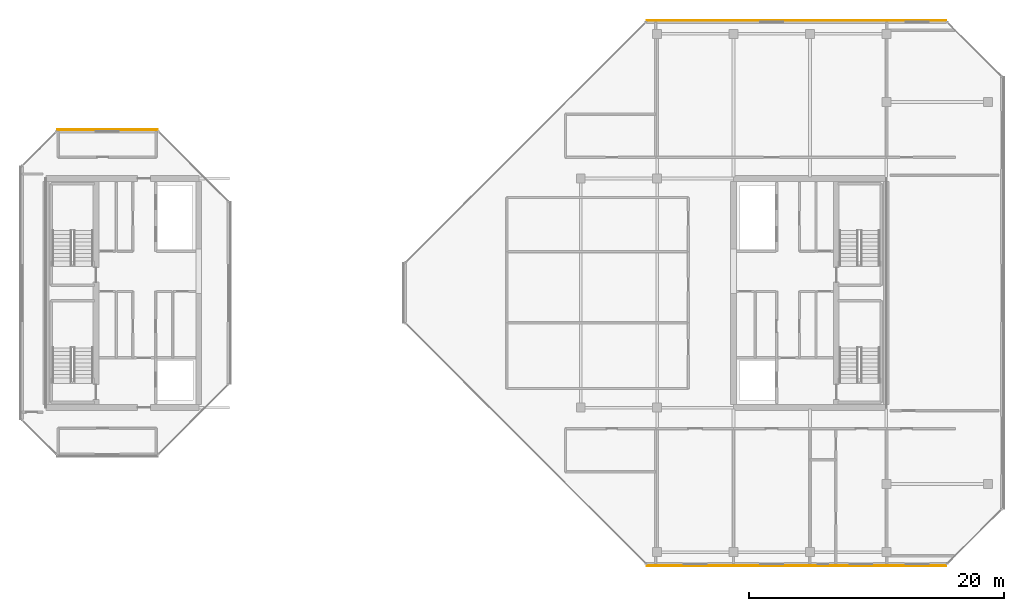
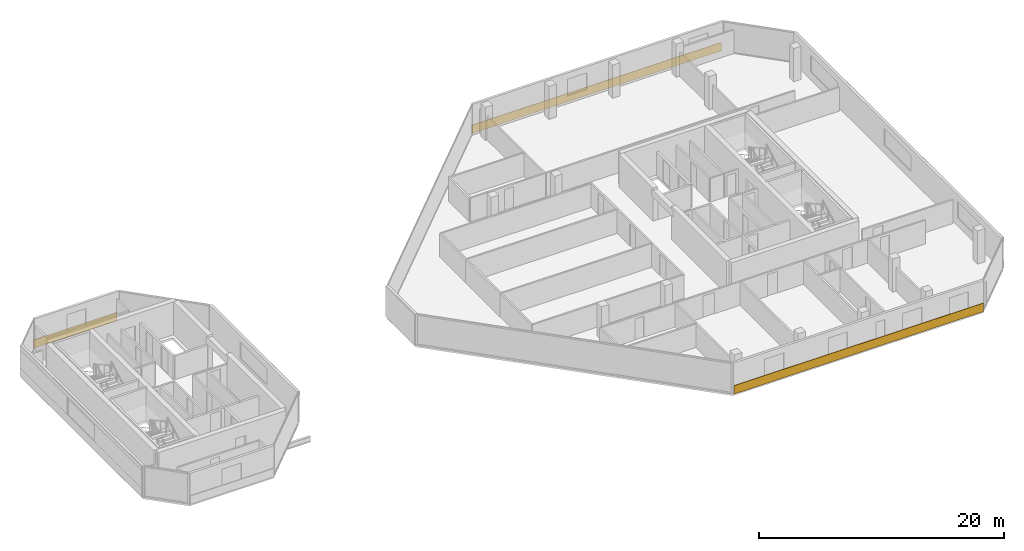
# One storey, part 28 of 29: 3 coverings.
"""IFC4 building model written with IfcOpenShell, lengths in metres."""

from ifc_helpers import new_model, si_unit, direction, frame, origin, origin_2d, place, context, subcontext, project, spatial, rectangle, extrude, material, layer, layer_set, type_object, element, save


model = new_model("IFC4")

# Units and contexts
model_context = context("Model", 3, precision=1e-05, world=origin(), true_north=direction((0.0, 1.0)))
body_context = subcontext(model_context, "Body", "Model", "MODEL_VIEW")
ifc_project = project(units=[si_unit("LENGTHUNIT", "METRE"), si_unit("AREAUNIT", "SQUARE_METRE"), si_unit("VOLUMEUNIT", "CUBIC_METRE"), si_unit("PLANEANGLEUNIT", "RADIAN"), si_unit("MASSUNIT", "GRAM", prefix="KILO")], contexts=[model_context])

# Site, building, storey
site_placement = place(None, origin())
site = spatial("IfcSite", under=ifc_project, at=site_placement, CompositionType="ELEMENT")
building_placement = place(site_placement, origin())
building = spatial("IfcBuilding", under=site, at=building_placement, Name="Tanjung Sevakor Pilgrim Tower", CompositionType="ELEMENT")
storey_placement = place(building_placement, frame((0.0, 0.0, 235.949951171875)))
storey = spatial("IfcBuildingStorey", under=building, at=storey_placement, Name="L66", CompositionType="ELEMENT", Elevation=235.949951171875)

# Coverings
ifc_material = material(Name="Reconstructed Limestone Cladding", Category="masonry")
ifc_layer = layer(ifc_material, 0.044921875)
ifc_layer_set = layer_set([ifc_layer], Name="COV-CLAD-LIMESTONE")
covering_type = type_object("IfcCoveringType", Name="COV-CLAD-LIMESTONE", PredefinedType="CLADDING", material=ifc_layer_set)
covering_placement = place(storey_placement, frame((28.824951171875, 46.422607421875, 0.009765625), z_axis=(0.0, 0.0, 1.0), x_axis=(-1.0, 0.0, 0.0)))
element("IfcCovering", 1, at=covering_placement, inside=storey, type_object=covering_type, Name="L66 Warm Limestone Sill Spandrel EW-L66-WEST-5-1", PredefinedType="CLADDING", context=body_context, shape_type="SweptSolid", body=[
    extrude(rectangle(XDim=7.87890625, YDim=0.044921875, at=origin_2d()), origin(), (0.0, 0.0, 1.0), 0.840087890625),
])
for number, where, z_axis, x_axis, name in (
    (2, (82.949951171875, 12.177490234375, 0.009765625), (0.0, 0.0, 1.0), (1.0, 0.0, 0.0), "L66 Warm Limestone Sill Spandrel EW-L66-EAST-1-1"),
    (3, (82.949951171875, 55.0224609375, 0.009765625), (0.0, 0.0, 1.0), (-1.0, 0.0, 0.0), "L66 Warm Limestone Sill Spandrel EW-L66-EAST-5-1"),
):
    element("IfcCovering", number, at=place(storey_placement, frame(where, z_axis=z_axis, x_axis=x_axis)), inside=storey, type_object=covering_type, Name=name, PredefinedType="CLADDING", context=body_context, shape_type="SweptSolid", body=[
        extrude(rectangle(XDim=23.52880859375, YDim=0.044921875, at=origin_2d()), origin(), (0.0, 0.0, 1.0), 0.840087890625),
    ])

save(model, "model.ifc")
